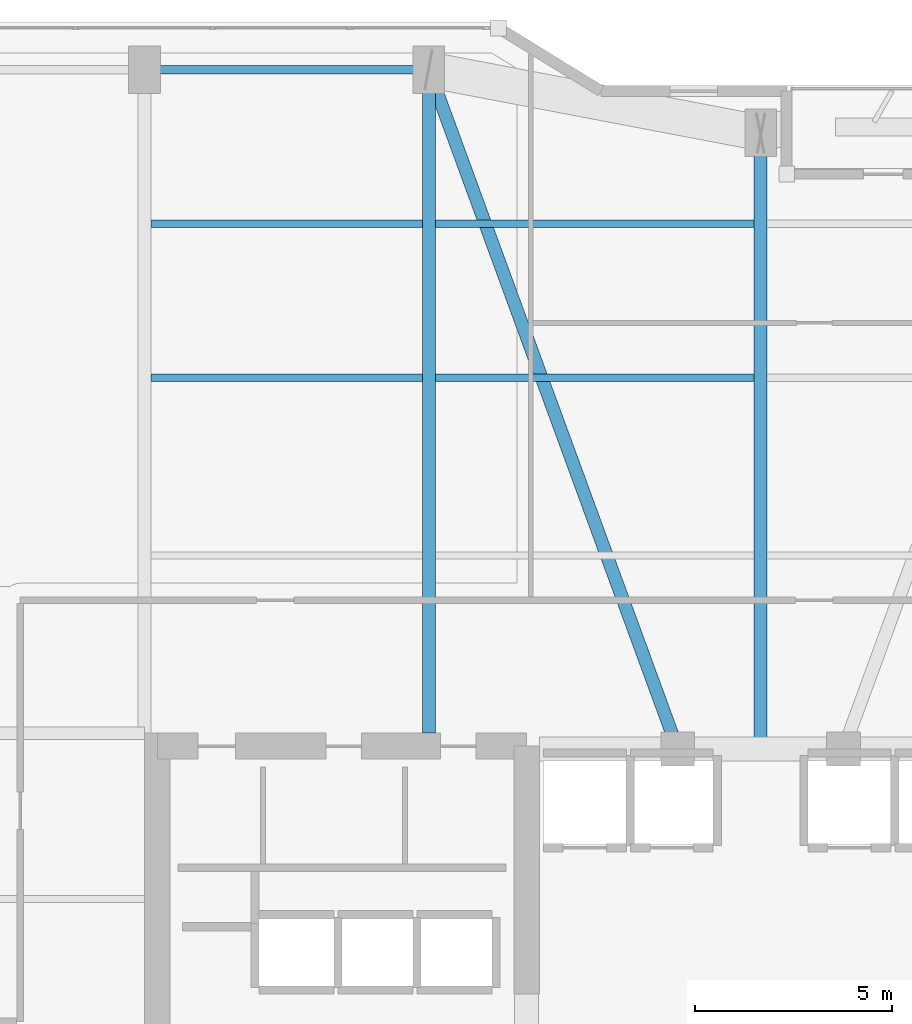
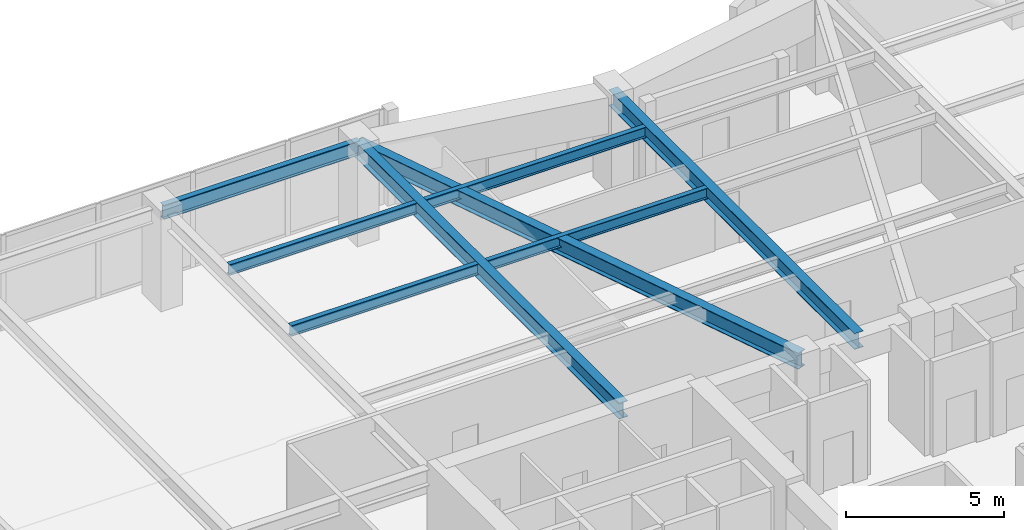
# One storey, part 18 of 30: 8 beams.
"""IFC4 building model written with IfcOpenShell, lengths in metres."""

from ifc_helpers import new_model, si_unit, direction, frame, origin, origin_2d, place, context, subcontext, project, spatial, i_section, extrude, material, material_profile, profile_set, type_object, element, save


model = new_model("IFC4")

# Units and contexts
model_context = context("Model", 3, precision=1e-05, world=origin(), true_north=direction((0.0, 1.0)))
body_context = subcontext(model_context, "Body", "Model", "MODEL_VIEW")
ifc_project = project(units=[si_unit("LENGTHUNIT", "METRE"), si_unit("AREAUNIT", "SQUARE_METRE"), si_unit("VOLUMEUNIT", "CUBIC_METRE"), si_unit("PLANEANGLEUNIT", "RADIAN"), si_unit("MASSUNIT", "GRAM", prefix="KILO")], contexts=[model_context])

# Site, building, storey
site_placement = place(None, origin())
site = spatial("IfcSite", under=ifc_project, at=site_placement, CompositionType="ELEMENT")
building_placement = place(site_placement, origin())
building = spatial("IfcBuilding", under=site, at=building_placement, Name="Kiyonajd Concourse Tower", CompositionType="ELEMENT")
storey_placement = place(building_placement, frame((0.0, 0.0, 194.10009765625)))
storey = spatial("IfcBuildingStorey", under=building, at=storey_placement, Name="L49", CompositionType="ELEMENT", Elevation=194.10009765625)

# Beams
ifc_material = material(Name="Steel ASTM A992 Grade 50", Category="steel")
ifc_material_profile_1 = material_profile(ifc_material, i_section(OverallWidth=0.180908203125, OverallDepth=0.4169921875, WebThickness=0.010986328125, FlangeThickness=0.018310546875, at=origin_2d()), Name="W410X85")
ifc_profile_set_1 = profile_set([ifc_material_profile_1], Name="Steel ASTM A992 Grade 50")
beam_type_1 = type_object("IfcBeamType", Name="BM-JST-410", PredefinedType="JOIST", material=ifc_profile_set_1)
beam_1_placement = place(storey_placement, frame((32.5634765625, 53.39990234375, 3.471435546875), z_axis=(1.0, 0.0, 0.0), x_axis=(0.0, 1.0, 0.0)))
element("IfcBeam", 1, at=beam_1_placement, inside=storey, type_object=beam_type_1, Name="L49 Secondary Floor Joist", PredefinedType="JOIST", context=body_context, shape_type="SweptSolid", body=[
    extrude(i_section(OverallWidth=0.180908203125, OverallDepth=0.4169921875, WebThickness=0.010986328125, FlangeThickness=0.018310546875, at=origin_2d()), origin(), (0.0, 0.0, 1.0), 6.873046875),
])
beam_2_placement = place(storey_placement, frame((39.763427734375, 53.39990234375, 3.471435546875), z_axis=(1.0, 0.0, 0.0), x_axis=(0.0, 1.0, 0.0)))
element("IfcBeam", 2, at=beam_2_placement, inside=storey, type_object=beam_type_1, Name="L49 Secondary Floor Joist", PredefinedType="JOIST", context=body_context, shape_type="SweptSolid", body=[
    extrude(i_section(OverallWidth=0.180908203125, OverallDepth=0.4169921875, WebThickness=0.010986328125, FlangeThickness=0.018310546875, at=origin_2d()), origin(), (0.0, 0.0, 1.0), 8.072998046875),
])
beam_3_placement = place(storey_placement, frame((32.5634765625, 57.300048828125, 3.471435546875), z_axis=(1.0, 0.0, 0.0), x_axis=(0.0, 1.0, 0.0)))
element("IfcBeam", 3, at=beam_3_placement, inside=storey, type_object=beam_type_1, Name="L49 Secondary Floor Joist", PredefinedType="JOIST", context=body_context, shape_type="SweptSolid", body=[
    extrude(i_section(OverallWidth=0.180908203125, OverallDepth=0.4169921875, WebThickness=0.010986328125, FlangeThickness=0.018310546875, at=origin_2d()), origin(), (0.0, 0.0, 1.0), 6.873046875),
])
beam_4_placement = place(storey_placement, frame((39.763427734375, 57.300048828125, 3.471435546875), z_axis=(1.0, 0.0, 0.0), x_axis=(0.0, 1.0, 0.0)))
element("IfcBeam", 4, at=beam_4_placement, inside=storey, type_object=beam_type_1, Name="L49 Secondary Floor Joist", PredefinedType="JOIST", context=body_context, shape_type="SweptSolid", body=[
    extrude(i_section(OverallWidth=0.180908203125, OverallDepth=0.4169921875, WebThickness=0.010986328125, FlangeThickness=0.018310546875, at=origin_2d()), origin(), (0.0, 0.0, 1.0), 8.072998046875),
])
ifc_material_profile_2 = material_profile(ifc_material, i_section(OverallWidth=0.214111328125, OverallDepth=0.549072265625, WebThickness=0.0146484375, FlangeThickness=0.023681640625, at=origin_2d()), Name="W530X138")
ifc_profile_set_2 = profile_set([ifc_material_profile_2], Name="Steel ASTM A992 Grade 50")
beam_type_2 = type_object("IfcBeamType", Name="BM-SPAN-530A", PredefinedType="SPANDREL", material=ifc_profile_set_2)
beam_5_placement = place(storey_placement, frame((39.60009765625, 61.199951171875, 3.405517578125), z_axis=(-1.0, 0.0, 0.0), x_axis=(0.0, -1.0, 0.0)))
element("IfcBeam", 5, at=beam_5_placement, inside=storey, type_object=beam_type_2, Name="L49 Perimeter Bundled Tube Spandrel", PredefinedType="SPANDREL", context=body_context, shape_type="SweptSolid", body=[
    extrude(i_section(OverallWidth=0.214111328125, OverallDepth=0.549072265625, WebThickness=0.0146484375, FlangeThickness=0.023681640625, at=origin_2d()), origin(), (0.0, 0.0, 1.0), 7.2001953125),
])
ifc_material_profile_3 = material_profile(ifc_material, i_section(OverallWidth=0.326904296875, OverallDepth=0.6220703125, WebThickness=0.015380859375, FlangeThickness=0.0244140625, at=origin_2d()), Name="W610X195")
ifc_profile_set_3 = profile_set([ifc_material_profile_3], Name="Steel ASTM A992 Grade 50")
beam_type_3 = type_object("IfcBeamType", Name="BM-TWR-610A", PredefinedType="BEAM", material=ifc_profile_set_3)
beam_6_placement = place(storey_placement, frame((39.60009765625, 61.199951171875, 3.368896484375), z_axis=(0.343925269715, -0.938997022813, 0.0), x_axis=(0.938997022813, 0.343925269715, 0.0)))
element("IfcBeam", 6, at=beam_6_placement, inside=storey, type_object=beam_type_3, Name="L49 Core Tie Girder", PredefinedType="BEAM", context=body_context, shape_type="SweptSolid", body=[
    extrude(i_section(OverallWidth=0.326904296875, OverallDepth=0.6220703125, WebThickness=0.015380859375, FlangeThickness=0.0244140625, at=origin_2d()), origin(), (0.0, 0.0, 1.0), 18.3173828125),
])
beam_7_placement = place(storey_placement, frame((39.60009765625, 44.39990234375, 3.368896484375), z_axis=(0.0, 1.0, 0.0), x_axis=(-1.0, 0.0, 0.0)))
element("IfcBeam", 7, at=beam_7_placement, inside=storey, type_object=beam_type_3, Name="L49 North Lease Girder", PredefinedType="BEAM", context=body_context, shape_type="SweptSolid", body=[
    extrude(i_section(OverallWidth=0.326904296875, OverallDepth=0.6220703125, WebThickness=0.015380859375, FlangeThickness=0.0244140625, at=origin_2d()), origin(), (0.0, 0.0, 1.0), 16.800048828125),
])
beam_8_placement = place(storey_placement, frame((48.0, 44.0, 3.368896484375), z_axis=(0.0, 1.0, 0.0), x_axis=(-1.0, 0.0, 0.0)))
element("IfcBeam", 8, at=beam_8_placement, inside=storey, type_object=beam_type_3, Name="L49 North Ribbon Girder", PredefinedType="BEAM", context=body_context, shape_type="SweptSolid", body=[
    extrude(i_section(OverallWidth=0.326904296875, OverallDepth=0.6220703125, WebThickness=0.015380859375, FlangeThickness=0.0244140625, at=origin_2d()), origin(), (0.0, 0.0, 1.0), 15.60009765625),
])

save(model, "model.ifc")
